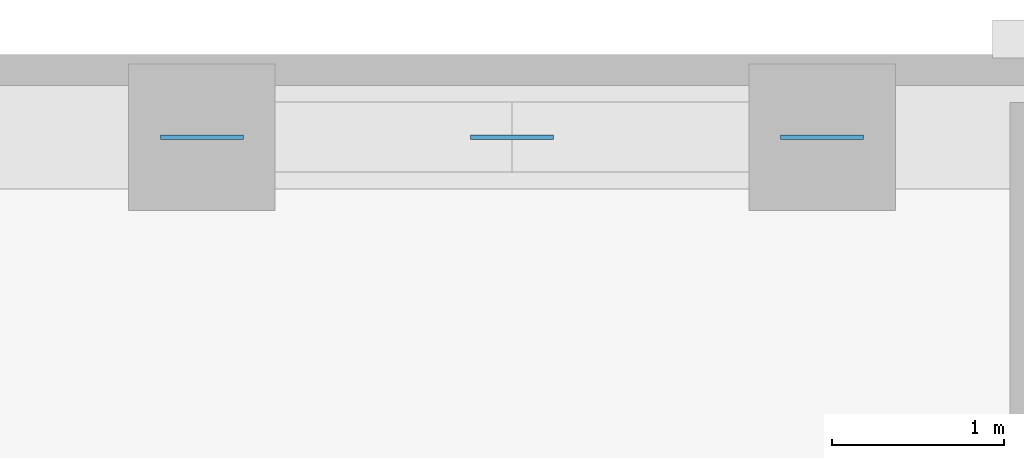
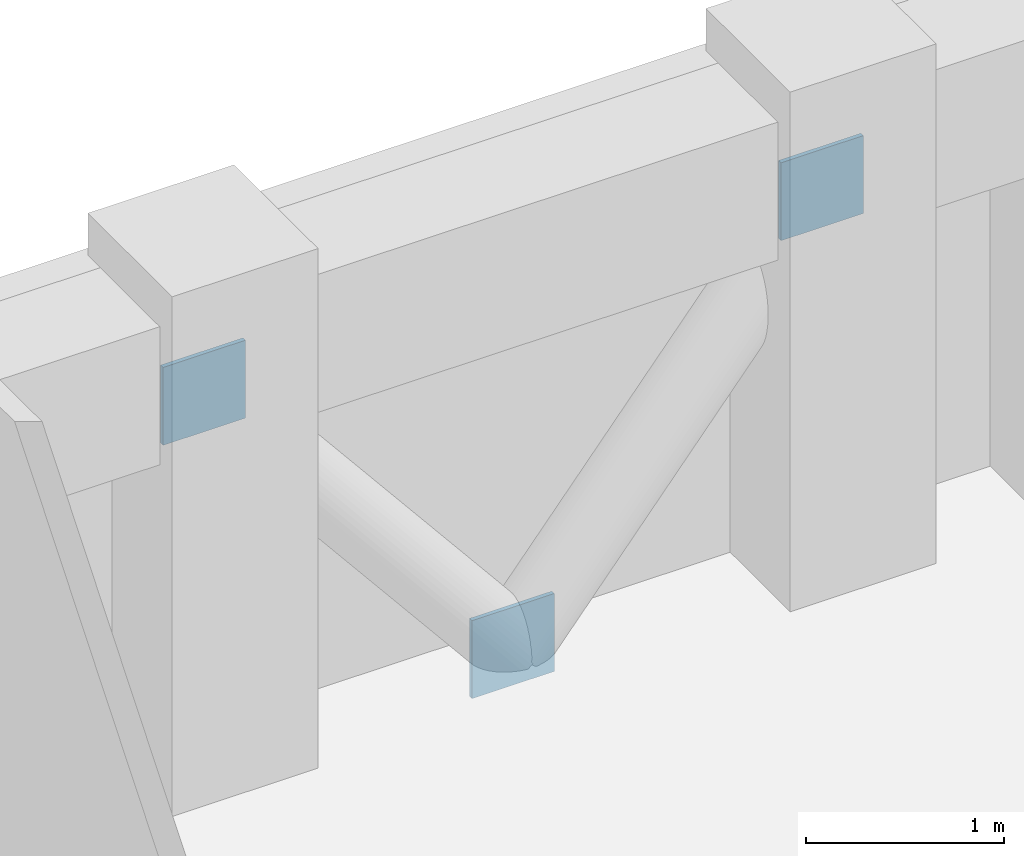
# One storey, part 10 of 12: 3 discrete accessories.
"""IFC4 building model written with IfcOpenShell, lengths in metres."""

import ifcopenshell
import ifcopenshell.guid

model = None  # the IFC model being written
_history = None  # IfcOwnerHistory: only IFC2X3 demands one
_inside = {}  # id of a spatial element -> (the spatial element, [elements in it])
_under = {}  # id of a project, library or spatial element -> (it, [spatial elements below it])
_declared = {}  # id of a project -> (the project, [libraries it declares])
_typed = {}  # id of a type object -> (the type object, [elements of that type])
_made_of = {}  # id of a material, layer set ... -> (it, [elements and type objects made of it])


def new_model(schema):
    """Start an empty IFC model of exactly this schema.

    Asked for "IFC4X3", IfcOpenShell would pick the latest addendum, in which some entities
    have other attributes; the version numbers below select the first issue.
    IFC2X3 requires an IfcOwnerHistory on every rooted entity: one is made here for all.
    """
    global model, _history
    if schema == "IFC4X3":
        model = ifcopenshell.file(schema_version=(4, 3, 0, 0))
    else:
        model = ifcopenshell.file(schema=schema)
    _inside.clear()
    _under.clear()
    _declared.clear()
    _typed.clear()
    _made_of.clear()
    _history = None
    if model.schema == "IFC2X3":
        org = make("IfcOrganization", Name="unknown")
        user = make(
            "IfcPersonAndOrganization",
            ThePerson=make("IfcPerson", FamilyName="unknown"),
            TheOrganization=org,
        )
        app = make(
            "IfcApplication",
            ApplicationDeveloper=org,
            Version="unknown",
            ApplicationFullName="unknown",
            ApplicationIdentifier="unknown",
        )
        _history = make(
            "IfcOwnerHistory",
            OwningUser=user,
            OwningApplication=app,
            ChangeAction="ADDED",
            CreationDate=0,
        )
    return model


def make(cls, **values):
    """One entity of the class cls with the attributes given. An attribute that is None is left unset."""
    return model.create_entity(
        cls, **{name: value for name, value in values.items() if value is not None}
    )


def rooted(cls, **values):
    """An entity with a GlobalId (a new one), such as an element, a storey or a relation."""
    return make(cls, GlobalId=ifcopenshell.guid.new(), OwnerHistory=_history, **values)


def si_unit(unit_type, name, prefix=None):
    """IfcSIUnit, for example si_unit("LENGTHUNIT", "METRE", prefix="MILLI")."""
    return make("IfcSIUnit", UnitType=unit_type, Prefix=prefix, Name=name)


def derived_unit(unit_type, elements):
    """IfcDerivedUnit: a product of units, each with its exponent."""
    return make(
        "IfcDerivedUnit",
        Elements=[
            make("IfcDerivedUnitElement", Unit=unit, Exponent=power)
            for unit, power in elements
        ],
        UnitType=unit_type,
    )


def assignment(units):
    """IfcUnitAssignment: the units of a project."""
    return None if units is None else make("IfcUnitAssignment", Units=units)


def point(xyz):
    """IfcCartesianPoint."""
    return None if xyz is None else make("IfcCartesianPoint", Coordinates=xyz)


def direction(xyz):
    """IfcDirection."""
    return None if xyz is None else make("IfcDirection", DirectionRatios=xyz)


def frame(location, z_axis=None, x_axis=None):
    """IfcAxis2Placement3D, a coordinate frame: its origin and axes. An axis left out is left unset."""
    return make(
        "IfcAxis2Placement3D",
        Location=point(location),
        Axis=direction(z_axis),
        RefDirection=direction(x_axis),
    )


def frame_2d(location, x_axis=None):
    """IfcAxis2Placement2D, a coordinate frame in the plane: its origin and x axis."""
    return make(
        "IfcAxis2Placement2D", Location=point(location), RefDirection=direction(x_axis)
    )


def origin():
    """The frame at (0, 0, 0) with its axes left unset."""
    return frame((0.0, 0.0, 0.0))


def origin_2d():
    """The frame at (0, 0) in the plane with its x axis left unset."""
    return frame_2d((0.0, 0.0))


def place(relative_to, where):
    """IfcLocalPlacement: puts the frame where relative to a parent placement (None: the world)."""
    return make(
        "IfcLocalPlacement", PlacementRelTo=relative_to, RelativePlacement=where
    )


def context(
    kind, dimensions, precision=None, world=None, true_north=None, identifier=None
):
    """IfcGeometricRepresentationContext, for example the 3D "Model" context."""
    return make(
        "IfcGeometricRepresentationContext",
        ContextIdentifier=identifier,
        ContextType=kind,
        CoordinateSpaceDimension=dimensions,
        Precision=precision,
        WorldCoordinateSystem=world,
        TrueNorth=true_north,
    )


def subcontext(parent, identifier, kind, view, scale=None):
    """IfcGeometricRepresentationSubContext, for example "Body" below "Model"."""
    return make(
        "IfcGeometricRepresentationSubContext",
        ContextIdentifier=identifier,
        ContextType=kind,
        ParentContext=parent,
        TargetScale=scale,
        TargetView=view,
    )


def project(units=None, contexts=None):
    """IfcProject with its units and contexts."""
    return rooted(
        "IfcProject",
        Name="project",
        RepresentationContexts=contexts,
        UnitsInContext=assignment(units),
    )


def spatial(cls, under=None, at=None, **own):
    """A site, building, storey or space (cls), placed at a placement, below another one or the project."""
    s = rooted(cls, ObjectPlacement=at, **own)
    if under is not None:
        _under.setdefault(under.id(), (under, []))[1].append(s)
    return s


def profile(cls, at=None, kind="AREA", **sizes):
    """A parametric profile (cls). Its sizes go by their IFC names, for example OverallWidth=200.0."""
    return make(cls, ProfileType=kind, Position=at, **sizes)


def rectangle(**sizes):
    """IfcRectangleProfileDef."""
    return profile("IfcRectangleProfileDef", **sizes)


def extrude(swept, where, along, depth):
    """IfcExtrudedAreaSolid: the profile swept, set in the frame where, extruded along a direction by depth."""
    return make(
        "IfcExtrudedAreaSolid",
        SweptArea=swept,
        Position=where,
        ExtrudedDirection=direction(along),
        Depth=depth,
    )


def shape(context_of_items, identifier, shape_type, items):
    """IfcShapeRepresentation: the items that make up one representation, for example the "Body"."""
    return make(
        "IfcShapeRepresentation",
        ContextOfItems=context_of_items,
        RepresentationIdentifier=identifier,
        RepresentationType=shape_type,
        Items=items,
    )


def material(Name=None, Category=None):
    """IfcMaterial."""
    return make("IfcMaterial", Name=Name, Category=Category)


def layer(
    of_material, thickness, ventilated=None, Name=None, Category=None, Priority=None
):
    """IfcMaterialLayer: one layer of a wall or slab, of a material (None: an air gap)."""
    return make(
        "IfcMaterialLayer",
        Material=of_material,
        LayerThickness=thickness,
        IsVentilated=ventilated,
        Name=Name,
        Category=Category,
        Priority=Priority,
    )


def layer_set(layers, Name=None):
    """IfcMaterialLayerSet."""
    return make("IfcMaterialLayerSet", MaterialLayers=layers, LayerSetName=Name)


def made_of(thing, what):
    """Note that an element or type object is made of a material, layer set ...; save() writes the relation."""
    if what is not None:
        _made_of.setdefault(what.id(), (what, []))[1].append(thing)
    return thing


def type_object(cls, material=None, **own):
    """A type object (cls), such as IfcWallType, which elements share."""
    return made_of(rooted(cls, **own), material)


def element(
    cls,
    number,
    at=None,
    inside=None,
    cuts=None,
    type_object=None,
    material=None,
    context=None,
    identifier="Body",
    shape_type=None,
    held_by="IfcProductDefinitionShape",
    body=None,
    shapes=None,
    **own,
):
    """One element of the class cls, such as IfcWall. Its Tag is "e" and its number.

    at: its placement. inside: the storey or other place that contains it. cuts: it is an
    opening in that element (IfcRelVoidsElement). A single representation is given by context,
    identifier, shape_type and body (its items); several are given by shapes. held_by: the class
    of the entity that holds the representations. save() writes the other relations.
    """
    e = rooted(cls, Tag="e%d" % number, ObjectPlacement=at, **own)
    if body is not None:
        shapes = [shape(context, identifier, shape_type, body)]
    if shapes is not None:
        e.Representation = make(held_by, Representations=shapes)
    if inside is not None:
        _inside.setdefault(inside.id(), (inside, []))[1].append(e)
    if cuts is not None:
        rooted(
            "IfcRelVoidsElement", RelatingBuildingElement=cuts, RelatedOpeningElement=e
        )
    if type_object is not None:
        _typed.setdefault(type_object.id(), (type_object, []))[1].append(e)
    return made_of(e, material)


def aggregate(whole, parts):
    """IfcRelAggregates: a whole, such as a stair, and the parts it consists of."""
    return rooted("IfcRelAggregates", RelatingObject=whole, RelatedObjects=parts)


def save(model, path):
    """Write the relations noted so far, then the file.

    IfcRelAggregates (storeys below a building ...), IfcRelContainedInSpatialStructure (elements
    in a storey), IfcRelDefinesByType, IfcRelAssociatesMaterial and IfcRelDeclares: one each for
    every whole, place, type object, material and project.
    """
    for whole, parts in _under.values():
        aggregate(whole, parts)
    for where, things in _inside.values():
        rooted(
            "IfcRelContainedInSpatialStructure",
            RelatedElements=things,
            RelatingStructure=where,
        )
    for kind, things in _typed.values():
        rooted("IfcRelDefinesByType", RelatedObjects=things, RelatingType=kind)
    for what, things in _made_of.values():
        rooted("IfcRelAssociatesMaterial", RelatedObjects=things, RelatingMaterial=what)
    for by, libraries in _declared.values():
        rooted("IfcRelDeclares", RelatingContext=by, RelatedDefinitions=libraries)
    model.write(path)


model = new_model("IFC4")

# Units and contexts
model_context = context("Model", 3, precision=1e-05, world=origin(), true_north=direction((0.0, 1.0)))
body_context = subcontext(model_context, "Body", "Model", "MODEL_VIEW")
ifc_project = project(units=[si_unit("LENGTHUNIT", "METRE"), si_unit("AREAUNIT", "SQUARE_METRE"), si_unit("VOLUMEUNIT", "CUBIC_METRE"), si_unit("PLANEANGLEUNIT", "RADIAN"), si_unit("MASSUNIT", "GRAM", prefix="KILO"), derived_unit("THERMALTRANSMITTANCEUNIT", [(si_unit("MASSUNIT", "GRAM", prefix="KILO"), 1), (si_unit("TIMEUNIT", "SECOND"), -3), (si_unit("THERMODYNAMICTEMPERATUREUNIT", "KELVIN"), -1)])], contexts=[model_context])

# Site, building, storey
site_placement = place(None, origin())
site = spatial("IfcSite", under=ifc_project, at=site_placement, CompositionType="ELEMENT")
building_placement = place(site_placement, origin())
building = spatial("IfcBuilding", under=site, at=building_placement, Name="Korrvale Station Residences", CompositionType="ELEMENT")
storey_placement = place(building_placement, frame((0.0, 0.0, 84.699951171875)))
storey = spatial("IfcBuildingStorey", under=building, at=storey_placement, Name="L23", CompositionType="ELEMENT", Elevation=84.699951171875)

# Discrete accessories
ifc_material = material(Name="Steel S355", Category="steel")
ifc_layer = layer(ifc_material, 0.02490234375, Name="Steel S355")
ifc_layer_set = layer_set([ifc_layer], Name="Steel S355")
discrete_accessory_type = type_object("IfcDiscreteAccessoryType", Name="ACC-GUSSET-25", PredefinedType="BRACKET", material=ifc_layer_set)
for number, where, z_axis, x_axis, name in (
    (1, (25.0, 42.820068359375, -0.219970703125), (0.0, 0.0, 1.0), (1.0, 0.0, 0.0), "L23 N Brace End Gusset Connection M"),
    (2, (23.199951171875, 42.820068359375, 1.969970703125), (0.0, 0.0, 1.0), (1.0, 0.0, 0.0), "L23 N Brace End Gusset Connection A"),
    (3, (26.800048828125, 42.820068359375, 1.969970703125), (0.0, 0.0, 1.0), (1.0, 0.0, 0.0), "L23 N Brace End Gusset Connection B"),
):
    element("IfcDiscreteAccessory", number, at=place(storey_placement, frame(where, z_axis=z_axis, x_axis=x_axis)), inside=storey, type_object=discrete_accessory_type, Name=name, PredefinedType="BRACKET", context=body_context, shape_type="SweptSolid", body=[
        extrude(rectangle(XDim=0.47998046875, YDim=0.02490234375, at=origin_2d()), origin(), (0.0, 0.0, 1.0), 0.47998046875),
    ])

save(model, "model.ifc")
